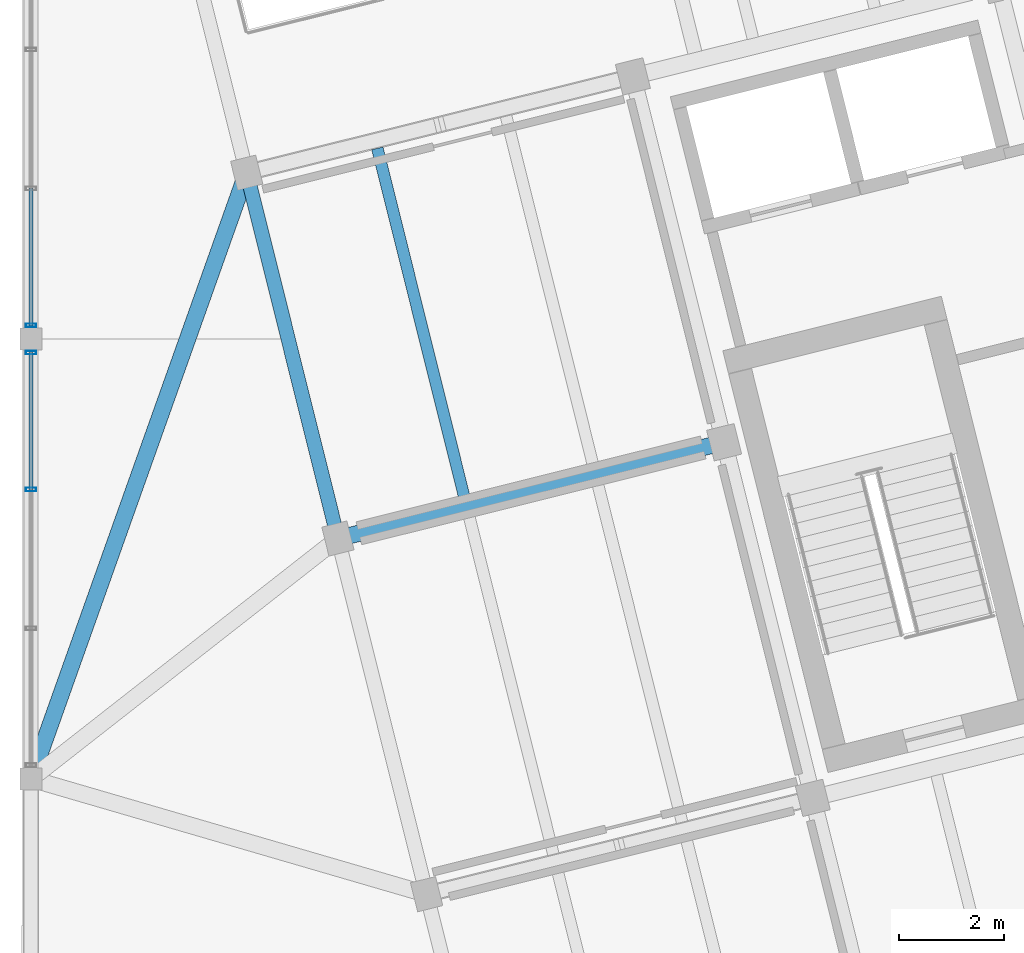
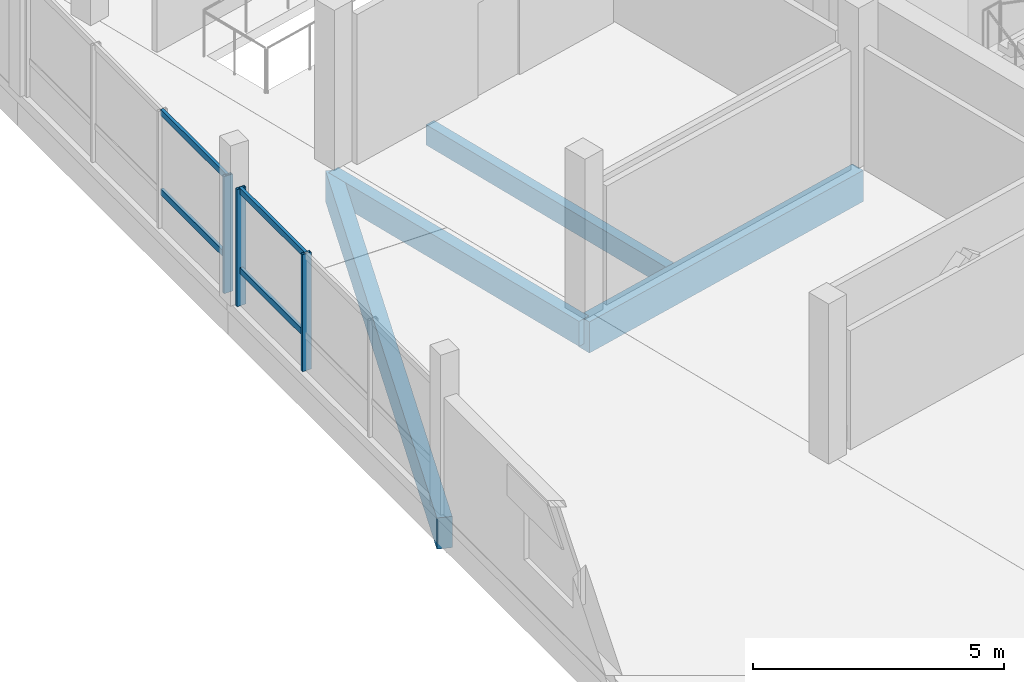
# One storey, part 19 of 47: 7 members, 4 beams, 2 elements without a shape of their own.
"""IFC4 building model written with IfcOpenShell, lengths in metres."""

from ifc_helpers import new_model, si_unit, direction, frame, origin, origin_2d, place, context, subcontext, project, spatial, rectangle, hollow_rectangle, extrude, material, layer, layer_set, material_profile, profile_set, type_object, element, aggregate, save


model = new_model("IFC4")

# Units and contexts
model_context = context("Model", 3, precision=1e-05, world=origin(), true_north=direction((0.0, 1.0)))
body_context = subcontext(model_context, "Body", "Model", "MODEL_VIEW")
ifc_project = project(units=[si_unit("LENGTHUNIT", "METRE"), si_unit("AREAUNIT", "SQUARE_METRE"), si_unit("VOLUMEUNIT", "CUBIC_METRE"), si_unit("PLANEANGLEUNIT", "RADIAN"), si_unit("MASSUNIT", "GRAM", prefix="KILO")], contexts=[model_context])

# Site, building, storey
site_placement = place(None, origin())
site = spatial("IfcSite", under=ifc_project, at=site_placement, CompositionType="ELEMENT")
building_placement = place(site_placement, origin())
building = spatial("IfcBuilding", under=site, at=building_placement, Name="Meriwether Solvik Hall", CompositionType="ELEMENT")
storey_placement = place(building_placement, frame((0.0, 0.0, 18.300048828125)))
storey = spatial("IfcBuildingStorey", under=building, at=storey_placement, Name="L04", CompositionType="ELEMENT", Elevation=18.300048828125)

# Beams
ifc_material_1 = material(Name="Glulam Douglas-Fir 24F-V8 GL28h", Category="wood")
ifc_material_profile_1 = material_profile(ifc_material_1, rectangle(XDim=0.27294921875, YDim=0.610107421875, at=origin_2d()), Name="GLB-273X610")
ifc_profile_set_1 = profile_set([ifc_material_profile_1], Name="Glulam Douglas-Fir 24F-V8 GL28h")
beam_type_1 = type_object("IfcBeamType", Name="BM-GL-273X610", PredefinedType="SPANDREL", material=ifc_profile_set_1)
beam_1_placement = place(storey_placement, frame((65.261474609375, 54.590087890625, -0.550048828125), z_axis=(-0.241937193493, 0.970291911955, 0.0), x_axis=(-0.970291911955, -0.241937193493, 0.0)))
element("IfcBeam", 1, at=beam_1_placement, inside=storey, type_object=beam_type_1, Name="Tower Girder T1:TC-TD (L04)", PredefinedType="SPANDREL", context=body_context, shape_type="SweptSolid", body=[
    extrude(rectangle(XDim=0.27294921875, YDim=0.610107421875, at=origin_2d()), origin(), (0.0, 0.0, 1.0), 7.199951171875),
])
ifc_material_2 = material(Name="Glulam Douglas-Fir 24F-V8 GL28h", Category="wood")
ifc_material_profile_2 = material_profile(ifc_material_2, rectangle(XDim=0.31494140625, YDim=0.760009765625, at=origin_2d()), Name="GLB-315X760")
ifc_profile_set_2 = profile_set([ifc_material_profile_2], Name="Glulam Douglas-Fir 24F-V8 GL28h")
beam_type_2 = type_object("IfcBeamType", Name="BM-GL-315X760", PredefinedType="BEAM", material=ifc_profile_set_2)
beam_2_placement = place(storey_placement, frame((63.51953125, 61.576171875, -0.625), z_axis=(-0.335273852022, -0.942120716337, 0.0), x_axis=(0.942120716337, -0.335273852022, 0.0)))
element("IfcBeam", 2, at=beam_2_placement, inside=storey, type_object=beam_type_2, Name="Diaphragm Collector Girder T1/TD-7/F (L04)", PredefinedType="BEAM", context=body_context, shape_type="SweptSolid", body=[
    extrude(rectangle(XDim=0.31494140625, YDim=0.760009765625, at=origin_2d()), origin(), (0.0, 0.0, 1.0), 12.287353515625),
])
beam_3_placement = place(storey_placement, frame((65.261474609375, 54.590087890625, -0.625), z_axis=(0.970295366785, 0.241923337436, 0.0), x_axis=(-0.241923337436, 0.970295366785, 0.0)))
element("IfcBeam", 3, at=beam_3_placement, inside=storey, type_object=beam_type_2, Name="Tower Girder TC:T1-T2 (L04)", PredefinedType="BEAM", context=body_context, shape_type="SweptSolid", body=[
    extrude(rectangle(XDim=0.31494140625, YDim=0.760009765625, at=origin_2d()), origin(), (0.0, 0.0, 1.0), 7.60009765625),
])

# Curtain wall, members
ifc_material_3 = material(Name="Thermally Broken Anodised Aluminium 6063-T6 and Low-E Glass", Category="aluminium")
ifc_layer = layer(ifc_material_3, 0.179931640625)
ifc_layer_set = layer_set([ifc_layer], Name="Thermally Broken Anodised Aluminium 6063-T6 and Low-E Glass")
curtain_wall_type = type_object("IfcCurtainWallType", Name="CW-UNIT-E", PredefinedType="USERDEFINED", material=ifc_layer_set)
curtain_wall_1_placement = place(storey_placement, origin())
curtain_wall_1 = element("IfcCurtainWall", 4, at=curtain_wall_1_placement, inside=storey, type_object=curtain_wall_type, Name="Curtain Wall wing_Y7_6_17 (L04)", ObjectType="UNITISED CURTAIN WALL", PredefinedType="USERDEFINED")
ifc_material_4 = material(Name="Anodised Aluminium 6063-T6", Category="aluminium")
ifc_material_profile_3 = material_profile(ifc_material_4, hollow_rectangle(XDim=0.070068359375, YDim=0.199951171875, WallThickness=0.0048828125, at=origin_2d()), Name="CWM-70X200")
ifc_profile_set_3 = profile_set([ifc_material_profile_3], Name="Anodised Aluminium 6063-T6")
member_type_1 = type_object("IfcMemberType", Name="CW-MUL-70X200", PredefinedType="MULLION", material=ifc_profile_set_3)
member_1_placement = place(storey_placement, frame((59.39990234375, 55.52587890625, 0.0), z_axis=(0.0, 0.0, 1.0), x_axis=(0.0, 1.0, 0.0)))
member_1 = element("IfcMember", 5, at=member_1_placement, type_object=member_type_1, Name="Curtain Wall Mullion 3", PredefinedType="MULLION", context=body_context, shape_type="SweptSolid", body=[
    extrude(hollow_rectangle(XDim=0.070068359375, YDim=0.199951171875, WallThickness=0.0048828125, at=origin_2d()), origin(), (0.0, 0.0, 1.0), 2.85498046875),
])
member_2_placement = place(storey_placement, frame((59.39990234375, 58.139892578125, 0.0), z_axis=(0.0, 0.0, 1.0), x_axis=(0.0, 1.0, 0.0)))
member_2 = element("IfcMember", 6, at=member_2_placement, type_object=member_type_1, Name="Curtain Wall Mullion 4", PredefinedType="MULLION", context=body_context, shape_type="SweptSolid", body=[
    extrude(hollow_rectangle(XDim=0.070068359375, YDim=0.199951171875, WallThickness=0.0048828125, at=origin_2d()), origin(), (0.0, 0.0, 1.0), 2.85498046875),
])

# Curtain wall, member
curtain_wall_2_placement = place(storey_placement, origin())
curtain_wall_2 = element("IfcCurtainWall", 7, at=curtain_wall_2_placement, inside=storey, type_object=curtain_wall_type, Name="Curtain Wall wing_Y7_7_18 (L04)", ObjectType="UNITISED CURTAIN WALL", PredefinedType="USERDEFINED")
member_3_placement = place(storey_placement, frame((59.39990234375, 58.659912109375, 0.0), z_axis=(0.0, 0.0, 1.0), x_axis=(0.0, 1.0, 0.0)))
member_3 = element("IfcMember", 8, at=member_3_placement, type_object=member_type_1, Name="Curtain Wall Mullion 1", PredefinedType="MULLION", context=body_context, shape_type="SweptSolid", body=[
    extrude(hollow_rectangle(XDim=0.070068359375, YDim=0.199951171875, WallThickness=0.0048828125, at=origin_2d()), origin(), (0.0, 0.0, 1.0), 2.85498046875),
])

# Member
ifc_material_5 = material(Name="Anodised Aluminium 6063-T6", Category="aluminium")
ifc_material_profile_4 = material_profile(ifc_material_5, hollow_rectangle(XDim=0.070068359375, YDim=0.14990234375, WallThickness=0.0048828125, at=origin_2d()), Name="CWT-70X150")
ifc_profile_set_4 = profile_set([ifc_material_profile_4], Name="Anodised Aluminium 6063-T6")
member_type_2 = type_object("IfcMemberType", Name="CW-TRN-70X150", PredefinedType="USERDEFINED", material=ifc_profile_set_4)
member_4_placement = place(storey_placement, frame((59.39990234375, 55.52587890625, 0.8564453125), z_axis=(0.0, 1.0, 0.0), x_axis=(-1.0, 0.0, 0.0)))
member_4 = element("IfcMember", 9, at=member_4_placement, type_object=member_type_2, Name="Curtain Wall Transom 3-sill", ObjectType="TRANSOM", PredefinedType="USERDEFINED", context=body_context, shape_type="SweptSolid", body=[
    extrude(hollow_rectangle(XDim=0.070068359375, YDim=0.14990234375, WallThickness=0.0048828125, at=origin_2d()), origin(), (0.0, 0.0, 1.0), 2.614013671875),
])

member_5_placement = place(storey_placement, frame((59.39990234375, 55.52587890625, 2.794921875), z_axis=(0.0, 1.0, 0.0), x_axis=(-1.0, 0.0, 0.0)))
member_5 = element("IfcMember", 10, at=member_5_placement, type_object=member_type_2, Name="Curtain Wall Transom 3-head", ObjectType="TRANSOM", PredefinedType="USERDEFINED", context=body_context, shape_type="SweptSolid", body=[
    extrude(hollow_rectangle(XDim=0.070068359375, YDim=0.14990234375, WallThickness=0.0048828125, at=origin_2d()), origin(), (0.0, 0.0, 1.0), 2.614013671875),
])

aggregate(curtain_wall_1, [member_1, member_2, member_4, member_5])

member_6_placement = place(storey_placement, frame((59.39990234375, 58.659912109375, 0.8564453125), z_axis=(0.0, 1.0, 0.0), x_axis=(-1.0, 0.0, 0.0)))
member_6 = element("IfcMember", 11, at=member_6_placement, type_object=member_type_2, Name="Curtain Wall Transom 1-sill", ObjectType="TRANSOM", PredefinedType="USERDEFINED", context=body_context, shape_type="SweptSolid", body=[
    extrude(hollow_rectangle(XDim=0.070068359375, YDim=0.14990234375, WallThickness=0.0048828125, at=origin_2d()), origin(), (0.0, 0.0, 1.0), 2.614013671875),
])

member_7_placement = place(storey_placement, frame((59.39990234375, 58.659912109375, 2.794921875), z_axis=(0.0, 1.0, 0.0), x_axis=(-1.0, 0.0, 0.0)))
member_7 = element("IfcMember", 12, at=member_7_placement, type_object=member_type_2, Name="Curtain Wall Transom 1-head", ObjectType="TRANSOM", PredefinedType="USERDEFINED", context=body_context, shape_type="SweptSolid", body=[
    extrude(hollow_rectangle(XDim=0.070068359375, YDim=0.14990234375, WallThickness=0.0048828125, at=origin_2d()), origin(), (0.0, 0.0, 1.0), 2.614013671875),
])

aggregate(curtain_wall_2, [member_3, member_6, member_7])

# Beam
ifc_material_6 = material(Name="Glulam Douglas-Fir 24F-V8 GL28h", Category="wood")
ifc_material_profile_5 = material_profile(ifc_material_6, rectangle(XDim=0.221923828125, YDim=0.4951171875, at=origin_2d()), Name="GLJ-222X495")
ifc_profile_set_5 = profile_set([ifc_material_profile_5], Name="Glulam Douglas-Fir 24F-V8 GL28h")
beam_type_3 = type_object("IfcBeamType", Name="JST-GL-222X495", PredefinedType="JOIST", material=ifc_profile_set_5)
beam_4_placement = place(storey_placement, frame((67.6826171875, 55.350830078125, -0.492431640625), z_axis=(-0.241910719241, 0.970298512787, 0.0), x_axis=(-0.970298512787, -0.241910719241, 0.0)))
element("IfcBeam", 13, at=beam_4_placement, inside=storey, type_object=beam_type_3, Name="Glulam Floor Joist T1/TC-J1 (L04)", PredefinedType="JOIST", context=body_context, shape_type="SweptSolid", body=[
    extrude(rectangle(XDim=0.221923828125, YDim=0.4951171875, at=origin_2d()), origin(), (0.0, 0.0, 1.0), 6.89501953125),
])

save(model, "model.ifc")
